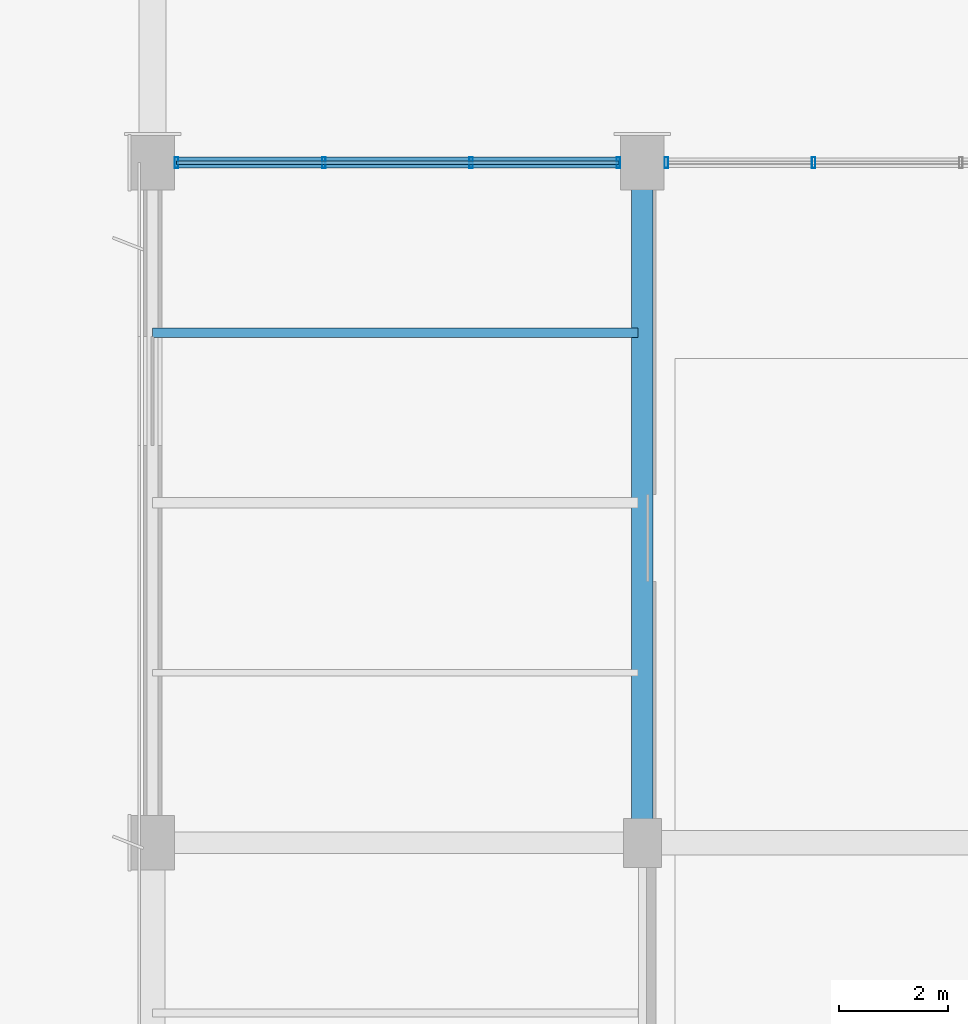
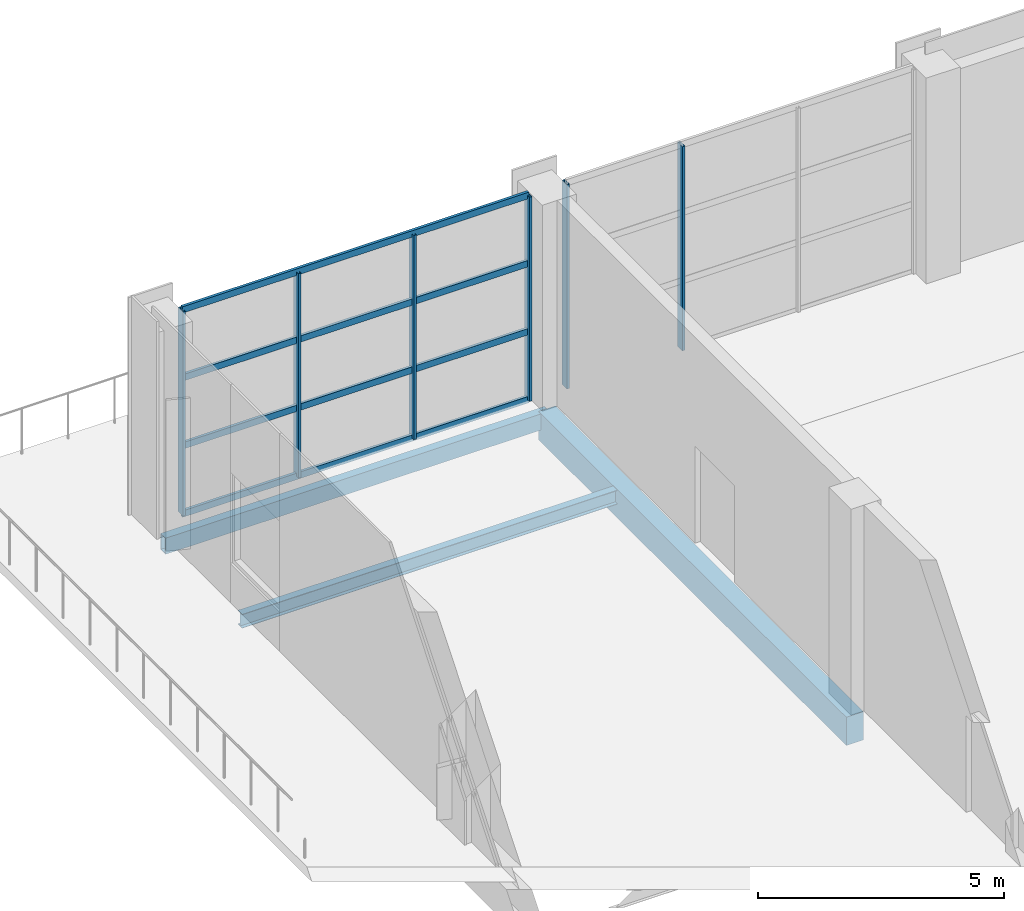
# One storey, part 56 of 90: 10 members, 3 beams, 2 elements without a shape of their own.
"""IFC4 building model written with IfcOpenShell, lengths in metres."""

from ifc_helpers import new_model, si_unit, direction, frame, origin, origin_2d, place, context, subcontext, project, spatial, rectangle, hollow_rectangle, i_section, extrude, material, material_profile, profile_set, type_object, element, aggregate, save


model = new_model("IFC4")

# Units and contexts
model_context = context("Model", 3, precision=1e-05, world=origin(), true_north=direction((0.0, 1.0)))
body_context = subcontext(model_context, "Body", "Model", "MODEL_VIEW")
ifc_project = project(units=[si_unit("LENGTHUNIT", "METRE"), si_unit("AREAUNIT", "SQUARE_METRE"), si_unit("VOLUMEUNIT", "CUBIC_METRE"), si_unit("PLANEANGLEUNIT", "RADIAN"), si_unit("MASSUNIT", "GRAM", prefix="KILO")], contexts=[model_context])

# Site, building, storey
site_placement = place(None, origin())
site = spatial("IfcSite", under=ifc_project, at=site_placement, CompositionType="ELEMENT")
building_placement = place(site_placement, origin())
building = spatial("IfcBuilding", under=site, at=building_placement, Name="Solvikara Media Centre", CompositionType="ELEMENT")
storey_placement = place(building_placement, origin())
storey = spatial("IfcBuildingStorey", under=building, at=storey_placement, Name="L00", CompositionType="ELEMENT", Elevation=0.0)

# Beams
ifc_material_1 = material(Name="Concrete fc' 35 MPa (C35/45)", Category="concrete")
ifc_material_profile_1 = material_profile(ifc_material_1, rectangle(XDim=0.39990234375, YDim=0.699951171875, at=origin_2d()), Name="RC 400x700")
ifc_profile_set_1 = profile_set([ifc_material_profile_1], Name="Concrete fc' 35 MPa (C35/45)")
beam_type_1 = type_object("IfcBeamType", Name="BM-13", PredefinedType="SPANDREL", material=ifc_profile_set_1)
beam_1_placement = place(storey_placement, frame((136.5, 101.5, -0.72998046875), z_axis=(0.0, 1.0, 0.0), x_axis=(-1.0, 0.0, 0.0)))
element("IfcBeam", 1, at=beam_1_placement, inside=storey, type_object=beam_type_1, Name="B-L00-Y0211", PredefinedType="SPANDREL", context=body_context, shape_type="SweptSolid", body=[
    extrude(rectangle(XDim=0.39990234375, YDim=0.699951171875, at=origin_2d()), origin(), (0.0, 0.0, 1.0), 12.5),
])
ifc_material_2 = material(Name="Steel S355JR", Category="steel")
ifc_material_profile_2 = material_profile(ifc_material_2, hollow_rectangle(XDim=0.199951171875, YDim=0.39990234375, WallThickness=0.011962890625, at=origin_2d()), Name="RHS 400x200x12")
ifc_profile_set_2 = profile_set([ifc_material_profile_2], Name="Steel S355JR")
beam_type_2 = type_object("IfcBeamType", Name="BM-33", PredefinedType="SPANDREL", material=ifc_profile_set_2)
beam_2_placement = place(storey_placement, frame((127.5, 114.0, -0.58203125), z_axis=(1.0, 0.0, 0.0), x_axis=(0.0, 1.0, 0.0)))
element("IfcBeam", 2, at=beam_2_placement, inside=storey, type_object=beam_type_2, Name="B-L00-X0107", PredefinedType="SPANDREL", context=body_context, shape_type="SweptSolid", body=[
    extrude(hollow_rectangle(XDim=0.199951171875, YDim=0.39990234375, WallThickness=0.011962890625, at=origin_2d()), origin(), (0.0, 0.0, 1.0), 9.0),
])
ifc_material_profile_3 = material_profile(ifc_material_2, i_section(OverallWidth=0.174072265625, OverallDepth=0.345947265625, WebThickness=0.006103515625, FlangeThickness=0.009033203125, at=origin_2d()), Name="WF 346x174x6x9")
ifc_profile_set_3 = profile_set([ifc_material_profile_3], Name="Steel S355JR")
beam_type_3 = type_object("IfcBeamType", Name="BM-38", PredefinedType="JOIST", material=ifc_profile_set_3)
beam_3_placement = place(storey_placement, frame((127.5, 110.875, -0.554931640625), z_axis=(1.0, 0.0, 0.0), x_axis=(0.0, 1.0, 0.0)))
element("IfcBeam", 3, at=beam_3_placement, inside=storey, type_object=beam_type_3, Name="J-L00-0398", PredefinedType="JOIST", context=body_context, shape_type="SweptSolid", body=[
    extrude(i_section(OverallWidth=0.174072265625, OverallDepth=0.345947265625, WebThickness=0.006103515625, FlangeThickness=0.009033203125, at=origin_2d()), origin(), (0.0, 0.0, 1.0), 8.922119140625),
])

# Curtain wall, members
ifc_material_3 = material(Name="Anodised aluminium EN AW-6063", Category="aluminium")
curtain_wall_type = type_object("IfcCurtainWallType", Name="CW-11", PredefinedType="NOTDEFINED", material=ifc_material_3)
curtain_wall_1_placement = place(storey_placement, origin())
curtain_wall_1 = element("IfcCurtainWall", 4, at=curtain_wall_1_placement, inside=storey, type_object=curtain_wall_type, Name="CW-L00-V2N-1-S1", PredefinedType="NOTDEFINED")
ifc_material_profile_4 = material_profile(ifc_material_3, hollow_rectangle(XDim=0.06494140625, YDim=0.199951171875, WallThickness=0.00390625, at=origin_2d()), Name="ALU-M 65x200x4")
ifc_profile_set_4 = profile_set([ifc_material_profile_4], Name="Anodised aluminium EN AW-6063")
member_type_1 = type_object("IfcMemberType", Name="MF-02", PredefinedType="MULLION", material=ifc_profile_set_4)
member_1_placement = place(storey_placement, frame((127.93994140625, 114.0, 0.02001953125), z_axis=(0.0, 0.0, 1.0), x_axis=(1.0, 0.0, 0.0)))
member_1 = element("IfcMember", 5, at=member_1_placement, type_object=member_type_1, Name="CW-L00-V2N-1-S1-M00", PredefinedType="MULLION", context=body_context, shape_type="SweptSolid", body=[
    extrude(hollow_rectangle(XDim=0.06494140625, YDim=0.199951171875, WallThickness=0.00390625, at=origin_2d()), origin(), (0.0, 0.0, 1.0), 5.06005859375),
])
member_2_placement = place(storey_placement, frame((130.64697265625, 114.0, 0.02001953125), z_axis=(0.0, 0.0, 1.0), x_axis=(1.0, 0.0, 0.0)))
member_2 = element("IfcMember", 6, at=member_2_placement, type_object=member_type_1, Name="CW-L00-V2N-1-S1-M01", PredefinedType="MULLION", context=body_context, shape_type="SweptSolid", body=[
    extrude(hollow_rectangle(XDim=0.06494140625, YDim=0.199951171875, WallThickness=0.00390625, at=origin_2d()), origin(), (0.0, 0.0, 1.0), 5.06005859375),
])
member_3_placement = place(storey_placement, frame((133.35302734375, 114.0, 0.02001953125), z_axis=(0.0, 0.0, 1.0), x_axis=(1.0, 0.0, 0.0)))
member_3 = element("IfcMember", 7, at=member_3_placement, type_object=member_type_1, Name="CW-L00-V2N-1-S1-M02", PredefinedType="MULLION", context=body_context, shape_type="SweptSolid", body=[
    extrude(hollow_rectangle(XDim=0.06494140625, YDim=0.199951171875, WallThickness=0.00390625, at=origin_2d()), origin(), (0.0, 0.0, 1.0), 5.06005859375),
])
member_4_placement = place(storey_placement, frame((136.06005859375, 114.0, 0.02001953125), z_axis=(0.0, 0.0, 1.0), x_axis=(1.0, 0.0, 0.0)))
member_4 = element("IfcMember", 8, at=member_4_placement, type_object=member_type_1, Name="CW-L00-V2N-1-S1-M03", PredefinedType="MULLION", context=body_context, shape_type="SweptSolid", body=[
    extrude(hollow_rectangle(XDim=0.06494140625, YDim=0.199951171875, WallThickness=0.00390625, at=origin_2d()), origin(), (0.0, 0.0, 1.0), 5.06005859375),
])

curtain_wall_2_placement = place(storey_placement, origin())
curtain_wall_2 = element("IfcCurtainWall", 9, at=curtain_wall_2_placement, inside=storey, type_object=curtain_wall_type, Name="CW-L00-V2N-1-S2", PredefinedType="NOTDEFINED")
member_5_placement = place(storey_placement, frame((136.93994140625, 114.0, 0.02001953125), z_axis=(0.0, 0.0, 1.0), x_axis=(1.0, 0.0, 0.0)))
member_5 = element("IfcMember", 10, at=member_5_placement, type_object=member_type_1, Name="CW-L00-V2N-1-S2-M00", PredefinedType="MULLION", context=body_context, shape_type="SweptSolid", body=[
    extrude(hollow_rectangle(XDim=0.06494140625, YDim=0.199951171875, WallThickness=0.00390625, at=origin_2d()), origin(), (0.0, 0.0, 1.0), 5.06005859375),
])
member_6_placement = place(storey_placement, frame((139.64697265625, 114.0, 0.02001953125), z_axis=(0.0, 0.0, 1.0), x_axis=(1.0, 0.0, 0.0)))
member_6 = element("IfcMember", 11, at=member_6_placement, type_object=member_type_1, Name="CW-L00-V2N-1-S2-M01", PredefinedType="MULLION", context=body_context, shape_type="SweptSolid", body=[
    extrude(hollow_rectangle(XDim=0.06494140625, YDim=0.199951171875, WallThickness=0.00390625, at=origin_2d()), origin(), (0.0, 0.0, 1.0), 5.06005859375),
])
aggregate(curtain_wall_2, [member_5, member_6])

# Member
ifc_material_profile_5 = material_profile(ifc_material_3, hollow_rectangle(XDim=0.06494140625, YDim=0.159912109375, WallThickness=0.00341796875, at=origin_2d()), Name="ALU-T 65x160x3.5")
ifc_profile_set_5 = profile_set([ifc_material_profile_5], Name="Anodised aluminium EN AW-6063")
member_type_2 = type_object("IfcMemberType", Name="MF-08", PredefinedType="USERDEFINED", material=ifc_profile_set_5)
member_7_placement = place(storey_placement, frame((127.93994140625, 114.0, 0.02001953125), z_axis=(1.0, 0.0, 0.0), x_axis=(0.0, 1.0, 0.0)))
member_7 = element("IfcMember", 12, at=member_7_placement, type_object=member_type_2, Name="CW-L00-V2N-1-S1-T00", ObjectType="TRANSOM", PredefinedType="USERDEFINED", context=body_context, shape_type="SweptSolid", body=[
    extrude(hollow_rectangle(XDim=0.06494140625, YDim=0.159912109375, WallThickness=0.00341796875, at=origin_2d()), origin(), (0.0, 0.0, 1.0), 8.1201171875),
])

member_8_placement = place(storey_placement, frame((127.93994140625, 114.0, 1.70703125), z_axis=(1.0, 0.0, 0.0), x_axis=(0.0, 1.0, 0.0)))
member_8 = element("IfcMember", 13, at=member_8_placement, type_object=member_type_2, Name="CW-L00-V2N-1-S1-T01", ObjectType="TRANSOM", PredefinedType="USERDEFINED", context=body_context, shape_type="SweptSolid", body=[
    extrude(hollow_rectangle(XDim=0.06494140625, YDim=0.159912109375, WallThickness=0.00341796875, at=origin_2d()), origin(), (0.0, 0.0, 1.0), 8.1201171875),
])

member_9_placement = place(storey_placement, frame((127.93994140625, 114.0, 3.39306640625), z_axis=(1.0, 0.0, 0.0), x_axis=(0.0, 1.0, 0.0)))
member_9 = element("IfcMember", 14, at=member_9_placement, type_object=member_type_2, Name="CW-L00-V2N-1-S1-T02", ObjectType="TRANSOM", PredefinedType="USERDEFINED", context=body_context, shape_type="SweptSolid", body=[
    extrude(hollow_rectangle(XDim=0.06494140625, YDim=0.159912109375, WallThickness=0.00341796875, at=origin_2d()), origin(), (0.0, 0.0, 1.0), 8.1201171875),
])

member_10_placement = place(storey_placement, frame((127.93994140625, 114.0, 5.080078125), z_axis=(1.0, 0.0, 0.0), x_axis=(0.0, 1.0, 0.0)))
member_10 = element("IfcMember", 15, at=member_10_placement, type_object=member_type_2, Name="CW-L00-V2N-1-S1-T03", ObjectType="TRANSOM", PredefinedType="USERDEFINED", context=body_context, shape_type="SweptSolid", body=[
    extrude(hollow_rectangle(XDim=0.06494140625, YDim=0.159912109375, WallThickness=0.00341796875, at=origin_2d()), origin(), (0.0, 0.0, 1.0), 8.1201171875),
])

aggregate(curtain_wall_1, [member_1, member_2, member_3, member_4, member_7, member_8, member_9, member_10])

save(model, "model.ifc")
